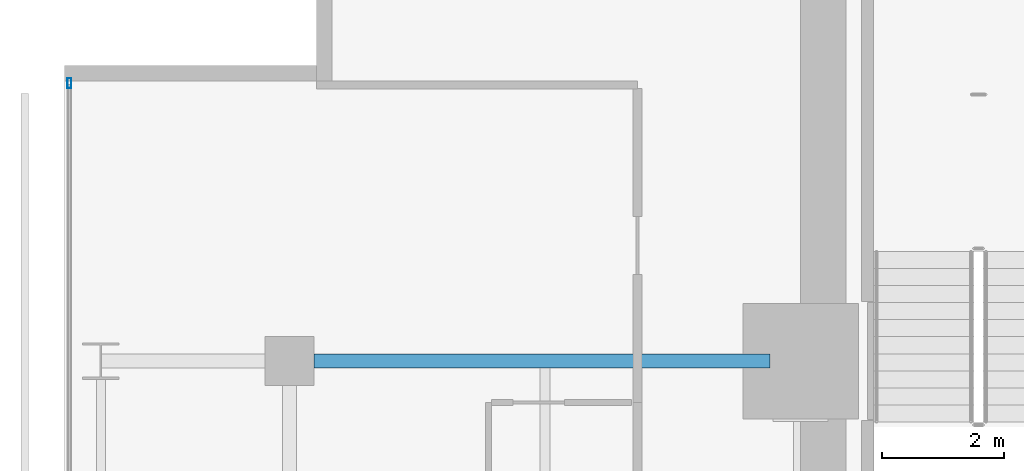
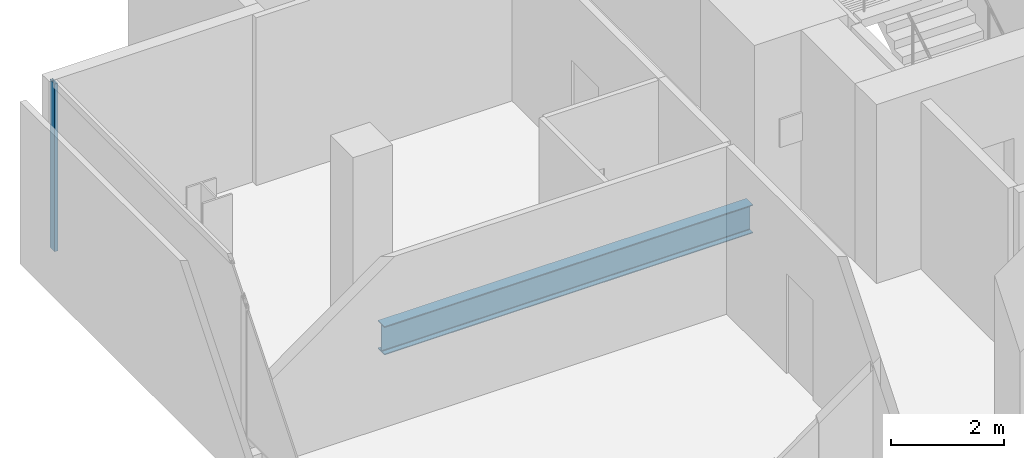
# One storey, part 20 of 34: 1 beam, 1 member, 1 element without a shape of its own.
"""IFC4 building model written with IfcOpenShell, lengths in metres."""

from ifc_helpers import new_model, si_unit, direction, frame, origin, origin_2d, place, context, subcontext, project, spatial, hollow_rectangle, i_section, extrude, material, layer, layer_set, material_profile, profile_set, type_object, element, aggregate, save


model = new_model("IFC4")

# Units and contexts
model_context = context("Model", 3, precision=1e-05, world=origin(), true_north=direction((0.0, 1.0)))
body_context = subcontext(model_context, "Body", "Model", "MODEL_VIEW")
ifc_project = project(units=[si_unit("LENGTHUNIT", "METRE"), si_unit("AREAUNIT", "SQUARE_METRE"), si_unit("VOLUMEUNIT", "CUBIC_METRE"), si_unit("PLANEANGLEUNIT", "RADIAN"), si_unit("MASSUNIT", "GRAM", prefix="KILO")], contexts=[model_context])

# Site, building, storey
site_placement = place(None, origin())
site = spatial("IfcSite", under=ifc_project, at=site_placement, CompositionType="ELEMENT")
building_placement = place(site_placement, origin())
building = spatial("IfcBuilding", under=site, at=building_placement, Name="Maruvema Waterfront Hotel and Observation Tower", CompositionType="ELEMENT")
storey_placement = place(building_placement, frame((0.0, 0.0, 127.39990234375)))
storey = spatial("IfcBuildingStorey", under=building, at=storey_placement, Name="L30", CompositionType="ELEMENT", Elevation=127.39990234375)

# Curtain wall, member
ifc_material_1 = material(Name="Anodised bronze aluminium and solar-control low-E IGU", Category="aluminium")
ifc_layer = layer(ifc_material_1, 0.159912109375, Name="Zone 2 Amber Inner Thermal Curtain Wall System CW-03")
ifc_layer_set = layer_set([ifc_layer], Name="Anodised bronze aluminium and solar-control low-E IGU")
curtain_wall_type = type_object("IfcCurtainWallType", Name="Zone 2 Amber Inner Thermal Curtain Wall System CW-03", PredefinedType="USERDEFINED", material=ifc_layer_set)
curtain_wall_placement = place(storey_placement, origin())
curtain_wall = element("IfcCurtainWall", 1, at=curtain_wall_placement, inside=storey, type_object=curtain_wall_type, Name="L30 Curtain Wall CW-L30-W", ObjectType="UNITISED CURTAIN WALL", PredefinedType="USERDEFINED")
ifc_material_2 = material(Name="Anodised architectural bronze aluminium", Category="aluminium")
ifc_material_profile_1 = material_profile(ifc_material_2, hollow_rectangle(XDim=0.06494140625, YDim=0.1650390625, WallThickness=0.00390625, at=origin_2d()), Name="ALU-M65x165")
ifc_profile_set_1 = profile_set([ifc_material_profile_1], Name="Anodised architectural bronze aluminium")
member_type = type_object("IfcMemberType", Name="Curtain Wall Primary Mullion ALU-M65x165", PredefinedType="MULLION", material=ifc_profile_set_1)
member_placement = place(storey_placement, frame((13.179931640625, 49.570068359375, 0.0), z_axis=(0.0, 0.0, 1.0), x_axis=(1.0, 0.0, 0.0)))
member = element("IfcMember", 2, at=member_placement, type_object=member_type, Name="CW-03 mullion 1", PredefinedType="MULLION", context=body_context, shape_type="SweptSolid", body=[
    extrude(hollow_rectangle(XDim=0.06494140625, YDim=0.1650390625, WallThickness=0.00390625, at=origin_2d()), origin(), (0.0, 0.0, 1.0), 3.610107421875),
])
aggregate(curtain_wall, [member])

# Beam
ifc_material_3 = material(Name="Steel ASTM A572 Grade 50", Category="steel")
ifc_material_profile_2 = material_profile(ifc_material_3, i_section(OverallWidth=0.22900390625, OverallDepth=0.612060546875, WebThickness=0.011962890625, FlangeThickness=0.01953125, FilletRadius=0.01806640625, at=origin_2d()), Name="W610x125.0")
ifc_profile_set_2 = profile_set([ifc_material_profile_2], Name="Steel ASTM A572 Grade 50")
beam_type = type_object("IfcBeamType", Name="Primary Floor Girder W610x125.0", PredefinedType="BEAM", material=ifc_profile_set_2)
beam_placement = place(storey_placement, frame((17.199951171875, 45.0, -0.5458984375), z_axis=(1.0, 0.0, 0.0), x_axis=(0.0, 1.0, 0.0)))
element("IfcBeam", 3, at=beam_placement, inside=storey, type_object=beam_type, Name="L30 Floor Girder EW-31", PredefinedType="BEAM", context=body_context, shape_type="SweptSolid", body=[
    extrude(i_section(OverallWidth=0.22900390625, OverallDepth=0.612060546875, WebThickness=0.011962890625, FlangeThickness=0.01953125, FilletRadius=0.01806640625, at=origin_2d()), origin(), (0.0, 0.0, 1.0), 7.5),
])

save(model, "model.ifc")
